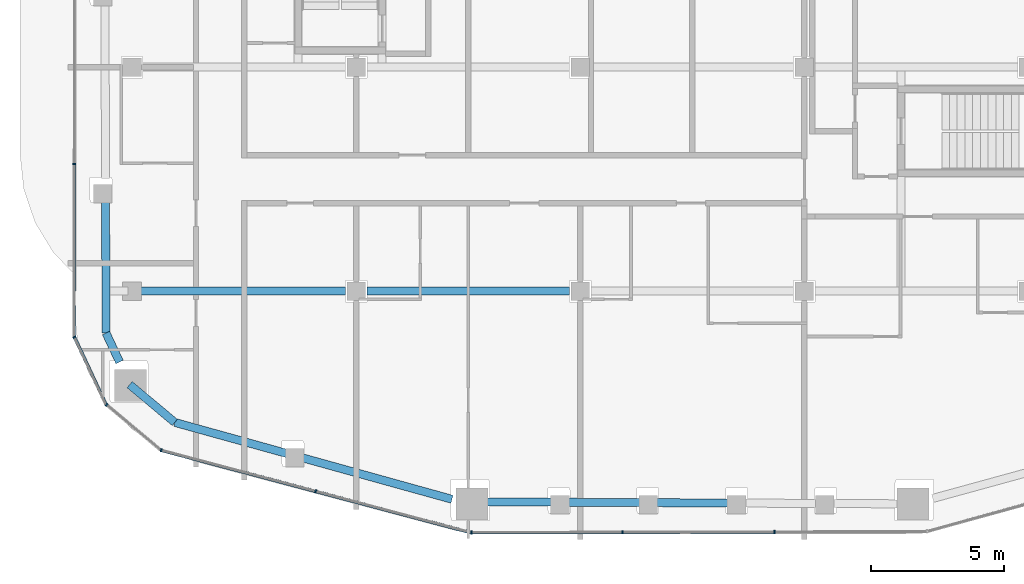
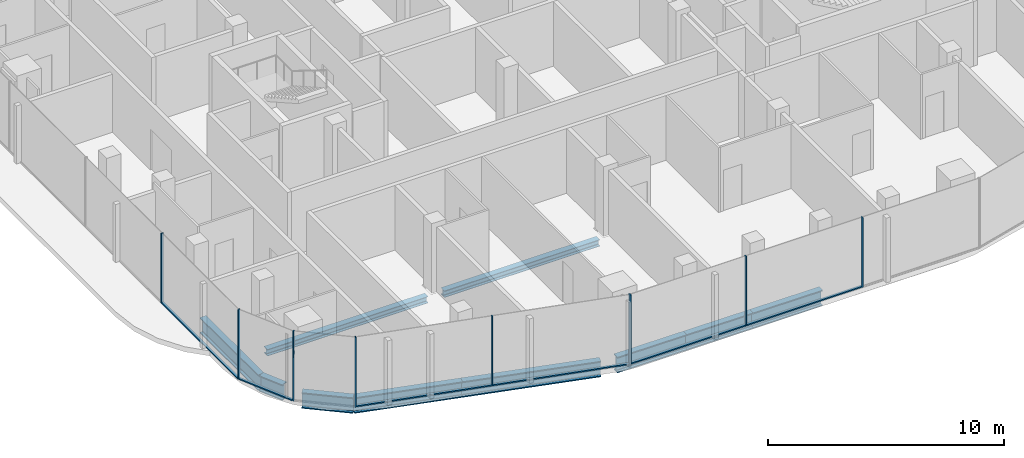
# One storey, part 2 of 21: 14 members, 10 beams, 5 elements without a shape of their own.
"""IFC4 building model written with IfcOpenShell, lengths in metres."""

from ifc_helpers import new_model, si_unit, direction, frame, origin, origin_2d, place, context, subcontext, project, spatial, rectangle, i_section, extrude, material, layer, layer_set, material_profile, profile_set, type_object, element, aggregate, save


model = new_model("IFC4")

# Units and contexts
model_context = context("Model", 3, precision=1e-05, world=origin(), true_north=direction((0.0, 1.0)))
body_context = subcontext(model_context, "Body", "Model", "MODEL_VIEW")
ifc_project = project(units=[si_unit("LENGTHUNIT", "METRE"), si_unit("AREAUNIT", "SQUARE_METRE"), si_unit("VOLUMEUNIT", "CUBIC_METRE"), si_unit("PLANEANGLEUNIT", "RADIAN"), si_unit("MASSUNIT", "GRAM", prefix="KILO")], contexts=[model_context])

# Site, building, storey
site_placement = place(None, origin())
site = spatial("IfcSite", under=ifc_project, at=site_placement, CompositionType="ELEMENT")
building_placement = place(site_placement, origin())
building = spatial("IfcBuilding", under=site, at=building_placement, Name="Marenta Gate Hotel Tower", CompositionType="ELEMENT")
storey_placement = place(building_placement, frame((0.0, 0.0, 266.89990234375)))
storey = spatial("IfcBuildingStorey", under=building, at=storey_placement, Name="L61", CompositionType="ELEMENT", Elevation=266.89990234375)

# Beams
ifc_material_1 = material(Name="Steel S355", Category="steel")
ifc_material_profile_1 = material_profile(ifc_material_1, i_section(OverallWidth=0.302978515625, OverallDepth=0.81396484375, WebThickness=0.030029296875, FlangeThickness=0.052001953125, FilletRadius=0.030029296875, at=origin_2d()), Name="HEM 800")
ifc_profile_set_1 = profile_set([ifc_material_profile_1], Name="Steel S355")
beam_type_1 = type_object("IfcBeamType", Name="Edge beam HEM 800", PredefinedType="SPANDREL", material=ifc_profile_set_1)
beam_1_placement = place(storey_placement, frame((-9.009521484375, -32.999755859375, -0.6669921875), z_axis=(-0.96361696626, 0.267287003681, 0.0), x_axis=(-0.267287003681, -0.96361696626, 0.0)))
element("IfcBeam", 1, at=beam_1_placement, inside=storey, type_object=beam_type_1, Name="L61-EB-1", PredefinedType="SPANDREL", context=body_context, shape_type="SweptSolid", body=[
    extrude(i_section(OverallWidth=0.302978515625, OverallDepth=0.81396484375, WebThickness=0.030029296875, FlangeThickness=0.052001953125, FilletRadius=0.030029296875, at=origin_2d()), origin(), (0.0, 0.0, 1.0), 6.139892578125),
])
beam_2_placement = place(storey_placement, frame((-14.848876953125, -31.380126953125, -0.6669921875), z_axis=(-0.963617152088, 0.267286333736, 0.0), x_axis=(-0.267286333736, -0.963617152088, 0.0)))
element("IfcBeam", 2, at=beam_2_placement, inside=storey, type_object=beam_type_1, Name="L61-EB-2", PredefinedType="SPANDREL", context=body_context, shape_type="SweptSolid", body=[
    extrude(i_section(OverallWidth=0.302978515625, OverallDepth=0.81396484375, WebThickness=0.030029296875, FlangeThickness=0.052001953125, FilletRadius=0.030029296875, at=origin_2d()), origin(), (0.0, 0.0, 1.0), 4.719482421875),
])
beam_3_placement = place(storey_placement, frame((-19.396728515625, -30.11865234375, -0.6669921875), z_axis=(-0.767141202054, 0.641478274075, 0.0), x_axis=(-0.641478274075, -0.767141202054, 0.0)))
element("IfcBeam", 3, at=beam_3_placement, inside=storey, type_object=beam_type_1, Name="L61-EB-3", PredefinedType="SPANDREL", context=body_context, shape_type="SweptSolid", body=[
    extrude(i_section(OverallWidth=0.302978515625, OverallDepth=0.81396484375, WebThickness=0.030029296875, FlangeThickness=0.052001953125, FilletRadius=0.030029296875, at=origin_2d()), origin(), (0.0, 0.0, 1.0), 2.20703125),
])
beam_4_placement = place(storey_placement, frame((-21.468505859375, -27.8515625, -0.6669921875), z_axis=(-0.423231582902, 0.906021537953, 0.0), x_axis=(-0.906021537953, -0.423231582902, 0.0)))
element("IfcBeam", 4, at=beam_4_placement, inside=storey, type_object=beam_type_1, Name="L61-EB-4", PredefinedType="SPANDREL", context=body_context, shape_type="SweptSolid", body=[
    extrude(i_section(OverallWidth=0.302978515625, OverallDepth=0.81396484375, WebThickness=0.030029296875, FlangeThickness=0.052001953125, FilletRadius=0.030029296875, at=origin_2d()), origin(), (0.0, 0.0, 1.0), 1.197021484375),
])
beam_5_placement = place(storey_placement, frame((-21.97509765625, -26.76708984375, -0.6669921875), z_axis=(-0.003334642021, 0.999994440066, 0.0), x_axis=(-0.999994440066, -0.003334642021, 0.0)))
element("IfcBeam", 5, at=beam_5_placement, inside=storey, type_object=beam_type_1, Name="L61-EB-5", PredefinedType="SPANDREL", context=body_context, shape_type="SweptSolid", body=[
    extrude(i_section(OverallWidth=0.302978515625, OverallDepth=0.81396484375, WebThickness=0.030029296875, FlangeThickness=0.052001953125, FilletRadius=0.030029296875, at=origin_2d()), origin(), (0.0, 0.0, 1.0), 4.9052734375),
])
for number, where, z_axis, x_axis, name in (
    (6, (1.693603515625, -33.14111328125, -0.6669921875), (-0.999988681931, 0.004757731618, 0.0), (-0.004757731618, -0.999988681931, 0.0), "L61-EB-33"),
    (7, (-1.613037109375, -33.125244140625, -0.6669921875), (-0.999988336367, 0.004829816792, 0.0), (-0.004829816792, -0.999988336367, 0.0), "L61-EB-34"),
):
    element("IfcBeam", number, at=place(storey_placement, frame(where, z_axis=z_axis, x_axis=x_axis)), inside=storey, type_object=beam_type_1, Name=name, PredefinedType="SPANDREL", context=body_context, shape_type="SweptSolid", body=[
        extrude(i_section(OverallWidth=0.302978515625, OverallDepth=0.81396484375, WebThickness=0.030029296875, FlangeThickness=0.052001953125, FilletRadius=0.030029296875, at=origin_2d()), origin(), (0.0, 0.0, 1.0), 3.38671875),
    ])
beam_6_placement = place(storey_placement, frame((-4.919677734375, -33.109375, -0.6669921875), z_axis=(-0.999988333003, 0.004830513216, 0.0), x_axis=(-0.004830513216, -0.999988333003, 0.0)))
element("IfcBeam", 8, at=beam_6_placement, inside=storey, type_object=beam_type_1, Name="L61-EB-35", PredefinedType="SPANDREL", context=body_context, shape_type="SweptSolid", body=[
    extrude(i_section(OverallWidth=0.302978515625, OverallDepth=0.81396484375, WebThickness=0.030029296875, FlangeThickness=0.052001953125, FilletRadius=0.030029296875, at=origin_2d()), origin(), (0.0, 0.0, 1.0), 3.38623046875),
])
ifc_material_2 = material(Name="Steel S355", Category="steel")
ifc_material_profile_2 = material_profile(ifc_material_2, i_section(OverallWidth=0.300048828125, OverallDepth=0.340087890625, WebThickness=0.011962890625, FlangeThickness=0.021484375, FilletRadius=0.027099609375, at=origin_2d()), Name="HEB 340")
ifc_profile_set_2 = profile_set([ifc_material_profile_2], Name="Steel S355")
beam_type_2 = type_object("IfcBeamType", Name="Girder HEB 340", PredefinedType="BEAM", material=ifc_profile_set_2)
beam_7_placement = place(storey_placement, frame((-20.848388671875, -25.199951171875, -0.429931640625), z_axis=(1.0, 0.0, 0.0), x_axis=(0.0, 1.0, 0.0)))
element("IfcBeam", 9, at=beam_7_placement, inside=storey, type_object=beam_type_2, Name="L61-GD-2", PredefinedType="BEAM", context=body_context, shape_type="SweptSolid", body=[
    extrude(i_section(OverallWidth=0.300048828125, OverallDepth=0.340087890625, WebThickness=0.011962890625, FlangeThickness=0.021484375, FilletRadius=0.027099609375, at=origin_2d()), origin(), (0.0, 0.0, 1.0), 7.848388671875),
])
beam_8_placement = place(storey_placement, frame((-12.199951171875, -25.199951171875, -0.429931640625), z_axis=(1.0, 0.0, 0.0), x_axis=(0.0, 1.0, 0.0)))
element("IfcBeam", 10, at=beam_8_placement, inside=storey, type_object=beam_type_2, Name="L61-GD-3", PredefinedType="BEAM", context=body_context, shape_type="SweptSolid", body=[
    extrude(i_section(OverallWidth=0.300048828125, OverallDepth=0.340087890625, WebThickness=0.011962890625, FlangeThickness=0.021484375, FilletRadius=0.027099609375, at=origin_2d()), origin(), (0.0, 0.0, 1.0), 7.599853515625),
])

# Curtain wall, member
ifc_material_3 = material(Name="Tinted insulated glass in bronze anodised frame", Category="glass")
ifc_layer = layer(ifc_material_3, 0.1201171875)
ifc_layer_set = layer_set([ifc_layer], Name="Tinted insulated glass in bronze anodised frame")
curtain_wall_type = type_object("IfcCurtainWallType", Name="Tower unitised curtain wall CW1", PredefinedType="NOTDEFINED", material=ifc_layer_set)
curtain_wall_1_placement = place(storey_placement, origin())
curtain_wall_1 = element("IfcCurtainWall", 11, at=curtain_wall_1_placement, inside=storey, type_object=curtain_wall_type, Name="CW1 run G03", PredefinedType="NOTDEFINED")
ifc_material_4 = material(Name="Bronze anodised aluminium", Category="aluminium")
ifc_material_profile_3 = material_profile(ifc_material_4, rectangle(XDim=0.1201171875, YDim=0.06005859375, at=origin_2d()), Name="Mullion CW1 60x120 bronze anodised aluminium")
ifc_profile_set_3 = profile_set([ifc_material_profile_3], Name="Bronze anodised aluminium")
member_type_1 = type_object("IfcMemberType", Name="Mullion CW1 60x120 bronze anodised aluminium", PredefinedType="MULLION", material=ifc_profile_set_3)
member_1_placement = place(storey_placement, frame((-23.162841796875, -20.433837890625, 0.0), z_axis=(0.0, 0.0, 1.0), x_axis=(0.99999877375, -0.001566045546, 0.0)))
member_1 = element("IfcMember", 12, at=member_1_placement, type_object=member_type_1, Name="CW1 mullion 6", PredefinedType="MULLION", context=body_context, shape_type="SweptSolid", body=[
    extrude(rectangle(XDim=0.1201171875, YDim=0.06005859375, at=origin_2d()), origin(), (0.0, 0.0, 1.0), 3.60009765625),
])

curtain_wall_2_placement = place(storey_placement, origin())
curtain_wall_2 = element("IfcCurtainWall", 13, at=curtain_wall_2_placement, inside=storey, type_object=curtain_wall_type, Name="CW1 run G04", PredefinedType="NOTDEFINED")
member_2_placement = place(storey_placement, frame((-23.160400390625, -26.9208984375, 0.0), z_axis=(0.0, 0.0, 1.0), x_axis=(0.905972194447, 0.42333719762, 0.0)))
member_2 = element("IfcMember", 14, at=member_2_placement, type_object=member_type_1, Name="CW1 mullion 1", PredefinedType="MULLION", context=body_context, shape_type="SweptSolid", body=[
    extrude(rectangle(XDim=0.1201171875, YDim=0.06005859375, at=origin_2d()), origin(), (0.0, 0.0, 1.0), 3.60009765625),
])

curtain_wall_3_placement = place(storey_placement, origin())
curtain_wall_3 = element("IfcCurtainWall", 15, at=curtain_wall_3_placement, inside=storey, type_object=curtain_wall_type, Name="CW1 run G05", PredefinedType="NOTDEFINED")
member_3_placement = place(storey_placement, frame((-21.9599609375, -29.4599609375, 0.0), z_axis=(0.0, 0.0, 1.0), x_axis=(0.641524739495, 0.767102345594, 0.0)))
member_3 = element("IfcMember", 16, at=member_3_placement, type_object=member_type_1, Name="CW1 mullion 1", PredefinedType="MULLION", context=body_context, shape_type="SweptSolid", body=[
    extrude(rectangle(XDim=0.1201171875, YDim=0.06005859375, at=origin_2d()), origin(), (0.0, 0.0, 1.0), 3.60009765625),
])
aggregate(curtain_wall_3, [member_3])

# Curtain wall, members
curtain_wall_4_placement = place(storey_placement, origin())
curtain_wall_4 = element("IfcCurtainWall", 17, at=curtain_wall_4_placement, inside=storey, type_object=curtain_wall_type, Name="CW1 run G06", PredefinedType="NOTDEFINED")
member_4_placement = place(storey_placement, frame((-19.90625, -31.160888671875, 0.0), z_axis=(0.0, 0.0, 1.0), x_axis=(0.257133501765, 0.966375890775, 0.0)))
member_4 = element("IfcMember", 18, at=member_4_placement, type_object=member_type_1, Name="CW1 mullion 1", PredefinedType="MULLION", context=body_context, shape_type="SweptSolid", body=[
    extrude(rectangle(XDim=0.1201171875, YDim=0.06005859375, at=origin_2d()), origin(), (0.0, 0.0, 1.0), 3.60009765625),
])
member_5_placement = place(storey_placement, frame((-14.12060546875, -32.7001953125, 0.0), z_axis=(0.0, 0.0, 1.0), x_axis=(0.257133501765, 0.966375890775, 0.0)))
member_5 = element("IfcMember", 19, at=member_5_placement, type_object=member_type_1, Name="CW1 mullion 2", PredefinedType="MULLION", context=body_context, shape_type="SweptSolid", body=[
    extrude(rectangle(XDim=0.1201171875, YDim=0.06005859375, at=origin_2d()), origin(), (0.0, 0.0, 1.0), 3.60009765625),
])

curtain_wall_5_placement = place(storey_placement, origin())
curtain_wall_5 = element("IfcCurtainWall", 20, at=curtain_wall_5_placement, inside=storey, type_object=curtain_wall_type, Name="CW1 run G07", PredefinedType="NOTDEFINED")
member_6_placement = place(storey_placement, frame((-8.276123046875, -34.247314453125, 0.0), z_axis=(0.0, 0.0, 1.0), x_axis=(-0.002066595127, 0.99999786459, 0.0)))
member_6 = element("IfcMember", 21, at=member_6_placement, type_object=member_type_1, Name="CW1 mullion 1", PredefinedType="MULLION", context=body_context, shape_type="SweptSolid", body=[
    extrude(rectangle(XDim=0.1201171875, YDim=0.06005859375, at=origin_2d()), origin(), (0.0, 0.0, 1.0), 3.60009765625),
])
member_7_placement = place(storey_placement, frame((-2.6123046875, -34.235595703125, 0.0), z_axis=(0.0, 0.0, 1.0), x_axis=(-0.002066595127, 0.99999786459, 0.0)))
member_7 = element("IfcMember", 22, at=member_7_placement, type_object=member_type_1, Name="CW1 mullion 2", PredefinedType="MULLION", context=body_context, shape_type="SweptSolid", body=[
    extrude(rectangle(XDim=0.1201171875, YDim=0.06005859375, at=origin_2d()), origin(), (0.0, 0.0, 1.0), 3.60009765625),
])
member_8_placement = place(storey_placement, frame((3.081298828125, -34.223876953125, 0.0), z_axis=(0.0, 0.0, 1.0), x_axis=(-0.002066595127, 0.99999786459, 0.0)))
member_8 = element("IfcMember", 23, at=member_8_placement, type_object=member_type_1, Name="CW1 mullion 3", PredefinedType="MULLION", context=body_context, shape_type="SweptSolid", body=[
    extrude(rectangle(XDim=0.1201171875, YDim=0.06005859375, at=origin_2d()), origin(), (0.0, 0.0, 1.0), 3.60009765625),
])

# Member
ifc_material_5 = material(Name="Bronze anodised aluminium", Category="aluminium")
ifc_material_profile_4 = material_profile(ifc_material_5, rectangle(XDim=0.1201171875, YDim=0.06005859375, at=origin_2d()), Name="Transom CW1 60x120 bronze anodised aluminium")
ifc_profile_set_4 = profile_set([ifc_material_profile_4], Name="Bronze anodised aluminium")
member_type_2 = type_object("IfcMemberType", Name="Transom CW1 60x120 bronze anodised aluminium", PredefinedType="USERDEFINED", material=ifc_profile_set_4)
member_9_placement = place(storey_placement, frame((-23.162841796875, -20.4638671875, 0.030029296875), z_axis=(-0.001594712632, -0.999998728445, 0.0), x_axis=(0.999998728445, -0.001594712632, 0.0)))
member_9 = element("IfcMember", 24, at=member_9_placement, type_object=member_type_2, Name="CW1 transom 6.1", ObjectType="TRANSOM", PredefinedType="USERDEFINED", context=body_context, shape_type="SweptSolid", body=[
    extrude(rectangle(XDim=0.1201171875, YDim=0.06005859375, at=origin_2d()), origin(), (0.0, 0.0, 1.0), 6.429931640625),
])

aggregate(curtain_wall_1, [member_1, member_9])

member_10_placement = place(storey_placement, frame((-23.147705078125, -26.9482421875, 0.030029296875), z_axis=(0.423380923875, -0.905951761022, 0.0), x_axis=(0.905951761022, 0.423380923875, 0.0)))
member_10 = element("IfcMember", 25, at=member_10_placement, type_object=member_type_2, Name="CW1 transom 1.1", ObjectType="TRANSOM", PredefinedType="USERDEFINED", context=body_context, shape_type="SweptSolid", body=[
    extrude(rectangle(XDim=0.1201171875, YDim=0.06005859375, at=origin_2d()), origin(), (0.0, 0.0, 1.0), 2.751220703125),
])

aggregate(curtain_wall_2, [member_2, member_10])

member_11_placement = place(storey_placement, frame((-19.877197265625, -31.16845703125, 0.030029296875), z_axis=(0.966368129293, -0.257162669701, 0.0), x_axis=(0.257162669701, 0.966368129293, 0.0)))
member_11 = element("IfcMember", 26, at=member_11_placement, type_object=member_type_2, Name="CW1 transom 1.1", ObjectType="TRANSOM", PredefinedType="USERDEFINED", context=body_context, shape_type="SweptSolid", body=[
    extrude(rectangle(XDim=0.1201171875, YDim=0.06005859375, at=origin_2d()), origin(), (0.0, 0.0, 1.0), 5.9267578125),
])

member_12_placement = place(storey_placement, frame((-14.091796875, -32.7080078125, 0.030029296875), z_axis=(0.966381654848, -0.257111837869, 0.0), x_axis=(0.257111837869, 0.966381654848, 0.0)))
member_12 = element("IfcMember", 27, at=member_12_placement, type_object=member_type_2, Name="CW1 transom 2.1", ObjectType="TRANSOM", PredefinedType="USERDEFINED", context=body_context, shape_type="SweptSolid", body=[
    extrude(rectangle(XDim=0.1201171875, YDim=0.06005859375, at=origin_2d()), origin(), (0.0, 0.0, 1.0), 5.98681640625),
])

aggregate(curtain_wall_4, [member_4, member_5, member_11, member_12])

member_13_placement = place(storey_placement, frame((-8.24609375, -34.247314453125, 0.030029296875), z_axis=(0.999997813386, 0.002091225332, 0.0), x_axis=(-0.002091225332, 0.999997813386, 0.0)))
member_13 = element("IfcMember", 28, at=member_13_placement, type_object=member_type_2, Name="CW1 transom 1.1", ObjectType="TRANSOM", PredefinedType="USERDEFINED", context=body_context, shape_type="SweptSolid", body=[
    extrude(rectangle(XDim=0.1201171875, YDim=0.06005859375, at=origin_2d()), origin(), (0.0, 0.0, 1.0), 5.603759765625),
])

member_14_placement = place(storey_placement, frame((-2.582275390625, -34.235595703125, 0.030029296875), z_axis=(0.999997836446, 0.002080168847, 0.0), x_axis=(-0.002080168847, 0.999997836446, 0.0)))
member_14 = element("IfcMember", 29, at=member_14_placement, type_object=member_type_2, Name="CW1 transom 2.1", ObjectType="TRANSOM", PredefinedType="USERDEFINED", context=body_context, shape_type="SweptSolid", body=[
    extrude(rectangle(XDim=0.1201171875, YDim=0.06005859375, at=origin_2d()), origin(), (0.0, 0.0, 1.0), 5.633544921875),
])

aggregate(curtain_wall_5, [member_6, member_7, member_8, member_13, member_14])

save(model, "model.ifc")
